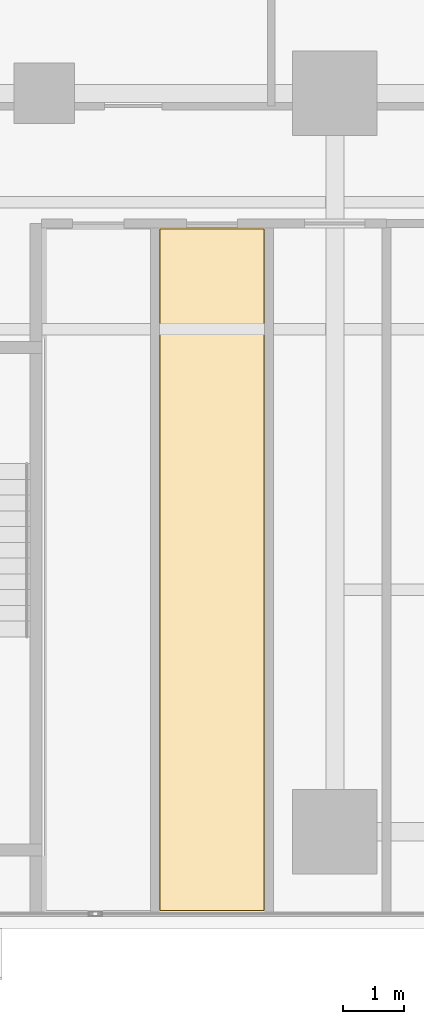
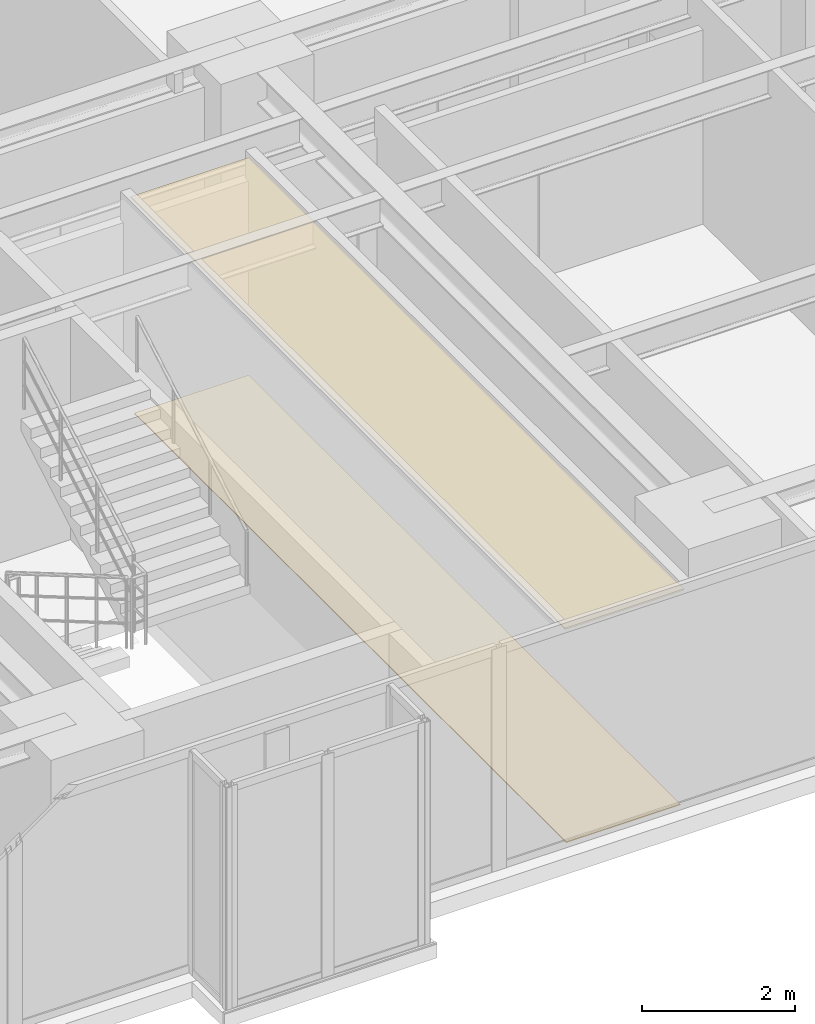
# One storey, part 25 of 26: 2 coverings.
"""IFC4 building model written with IfcOpenShell, lengths in metres."""

from ifc_helpers import new_model, si_unit, direction, frame, origin, place, context, subcontext, project, spatial, polyline, outline, extrude, material, layer, layer_set, type_object, element, save


model = new_model("IFC4")

# Units and contexts
model_context = context("Model", 3, precision=1e-05, world=origin(), true_north=direction((0.0, 1.0)))
body_context = subcontext(model_context, "Body", "Model", "MODEL_VIEW")
ifc_project = project(units=[si_unit("LENGTHUNIT", "METRE"), si_unit("AREAUNIT", "SQUARE_METRE"), si_unit("VOLUMEUNIT", "CUBIC_METRE"), si_unit("PLANEANGLEUNIT", "RADIAN"), si_unit("MASSUNIT", "GRAM", prefix="KILO")], contexts=[model_context])

# Site, building, storey
site_placement = place(None, origin())
site = spatial("IfcSite", under=ifc_project, at=site_placement, CompositionType="ELEMENT")
building_placement = place(site_placement, origin())
building = spatial("IfcBuilding", under=site, at=building_placement, Name="Kolvaren Waterfront Exchange", CompositionType="ELEMENT")
storey_placement = place(building_placement, frame((0.0, 0.0, 125.89990234375)))
storey = spatial("IfcBuildingStorey", under=building, at=storey_placement, Name="L32", CompositionType="ELEMENT", Elevation=125.89990234375)

# Coverings
ifc_material_1 = material(Name="Mineral fibre acoustic ceiling tile")
ifc_layer_1 = layer(ifc_material_1, 0.02490234375, Name="Mineral fibre acoustic ceiling tile")
ifc_layer_set_1 = layer_set([ifc_layer_1], Name="Mineral fibre acoustic ceiling tile")
covering_type_1 = type_object("IfcCoveringType", Name="ARC-CEIL-ACOUSTIC-25", PredefinedType="CEILING", material=ifc_layer_set_1)
covering_1_placement = place(storey_placement, frame((0.0, 0.0, 3.425048828125)))
element("IfcCovering", 1, at=covering_1_placement, inside=storey, type_object=covering_type_1, Name="L32 acoustic suspended ceiling 3", PredefinedType="CEILING", context=body_context, shape_type="SweptSolid", body=[
    extrude(outline(polyline([(35.6650390625, 3.864990234375), (35.6650390625, 15.195068359375), (33.875, 15.195068359375), (33.875, 3.864990234375), (35.6650390625, 3.864990234375)])), origin(), (0.0, 0.0, 1.0), 0.025146484375),
])
ifc_material_2 = material(Name="Slip-resistant porcelain tile")
ifc_layer_2 = layer(ifc_material_2, 0.014892578125, Name="Slip-resistant porcelain tile")
ifc_layer_set_2 = layer_set([ifc_layer_2], Name="Slip-resistant porcelain tile")
covering_type_2 = type_object("IfcCoveringType", Name="ARC-FLR-PORC-15", PredefinedType="FLOORING", material=ifc_layer_set_2)
covering_2_placement = place(storey_placement, origin())
element("IfcCovering", 2, at=covering_2_placement, inside=storey, type_object=covering_type_2, Name="L32 floor finish 3", PredefinedType="FLOORING", context=body_context, shape_type="SweptSolid", body=[
    extrude(outline(polyline([(33.909912109375, 15.159912109375), (33.909912109375, 3.89990234375), (35.6298828125, 3.89990234375), (35.6298828125, 15.159912109375), (33.909912109375, 15.159912109375)])), origin(), (0.0, 0.0, 1.0), 0.01513671875),
])

save(model, "model.ifc")
